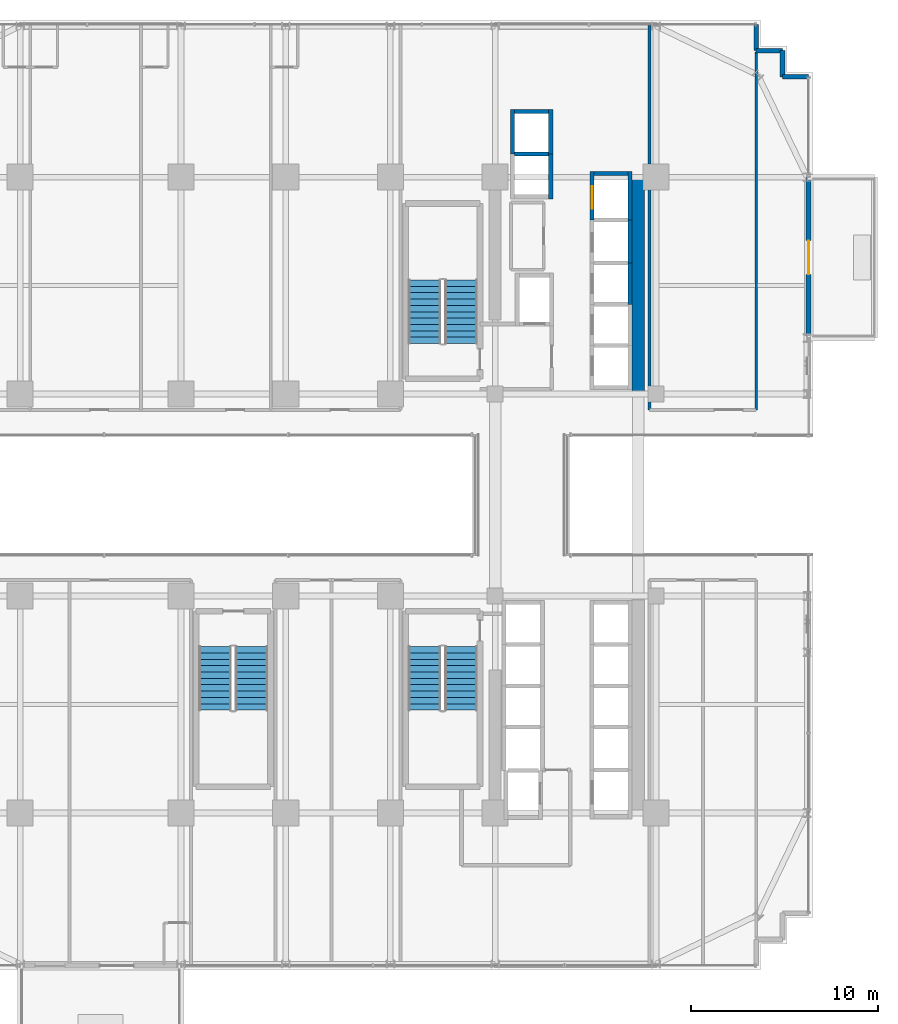
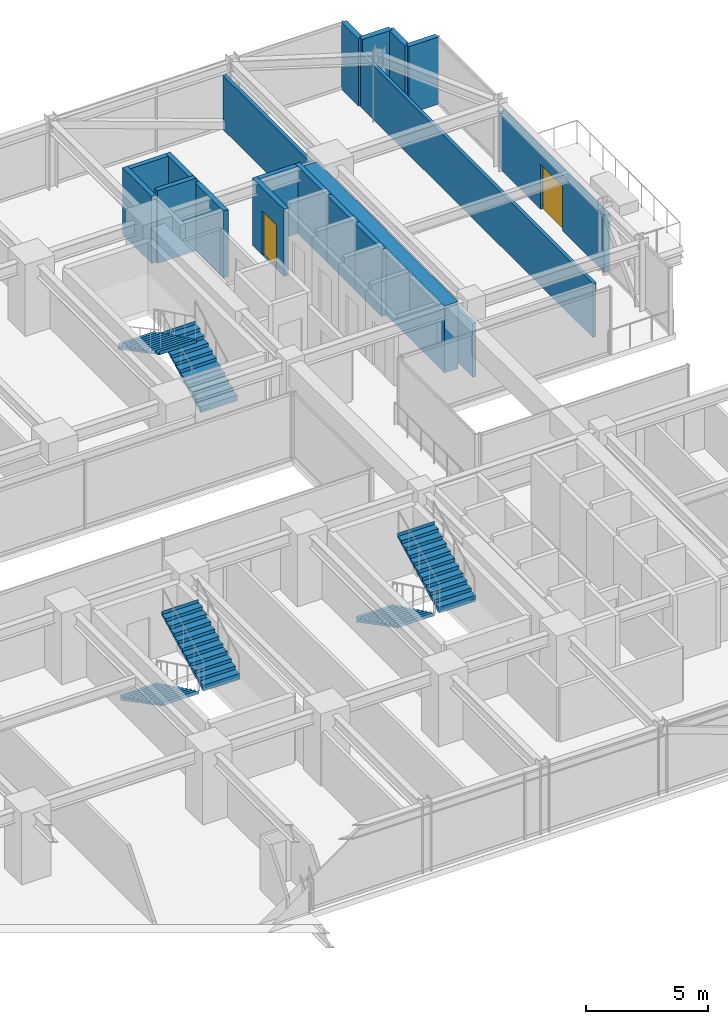
# One storey, part 38 of 43: 18 walls, 6 stair flights, 2 doors, 2 openings, 3 elements without a shape of their own.
"""IFC4 building model written with IfcOpenShell, lengths in metres."""

from ifc_helpers import new_model, si_unit, direction, frame, frame_2d, origin, place, context, subcontext, project, spatial, polyline, rectangle, outline, extrude, source, transform, mapped, material, layer, layer_set, type_object, element, fill, aggregate, save


model = new_model("IFC4")

# Units and contexts
model_context = context("Model", 3, precision=1e-05, world=origin(), true_north=direction((0.0, 1.0)))
body_context = subcontext(model_context, "Body", "Model", "MODEL_VIEW")
ifc_project = project(units=[si_unit("LENGTHUNIT", "METRE"), si_unit("AREAUNIT", "SQUARE_METRE"), si_unit("VOLUMEUNIT", "CUBIC_METRE"), si_unit("PLANEANGLEUNIT", "RADIAN"), si_unit("MASSUNIT", "GRAM", prefix="KILO")], contexts=[model_context])

# Site, building, storey
site_placement = place(None, origin())
site = spatial("IfcSite", under=ifc_project, at=site_placement, CompositionType="ELEMENT")
building_placement = place(site_placement, origin())
building = spatial("IfcBuilding", under=site, at=building_placement, Name="Nahalor Promenade Grand Hotel", CompositionType="ELEMENT")
storey_placement = place(building_placement, frame((0.0, 0.0, 57.949951171875)))
storey = spatial("IfcBuildingStorey", under=building, at=storey_placement, Name="L13", CompositionType="ELEMENT", Elevation=57.949951171875)

# Walls
ifc_material_1 = material(Name="Concrete B-60 (C50/60)", Category="concrete")
ifc_layer_1 = layer(ifc_material_1, 0.64990234375)
ifc_layer_set_1 = layer_set([ifc_layer_1], Name="Concrete B-60 (C50/60)")
wall_type_1 = type_object("IfcWallType", Name="Wall-CoreShear-650", PredefinedType="SHEAR", material=ifc_layer_set_1)
shared_shape_1 = source(origin(), body_context, "Body", "SweptSolid", [
    extrude(rectangle(XDim=11.60009765625, YDim=0.64990234375, at=frame_2d((5.800048828125, 0.0))), origin(), (0.0, 0.0, 1.0), 3.3701171875),
])
wall_1_placement = place(storey_placement, frame((16.050048828125, 5.39990234375, 0.0), z_axis=(0.0, 0.0, 1.0), x_axis=(0.0, 1.0, 0.0)))
element("IfcWall", 1, at=wall_1_placement, inside=storey, type_object=wall_type_1, Name="CWALL-L13-NE", PredefinedType="SHEAR", context=body_context, shape_type="MappedRepresentation", body=[
    mapped(shared_shape_1, transform((0.0, 0.0, 0.0), scale=1.0)),
])
ifc_material_2 = material(Name="Concrete B-50 (C40/50)", Category="concrete")
ifc_layer_2 = layer(ifc_material_2, 0.219970703125)
ifc_layer_set_2 = layer_set([ifc_layer_2], Name="Concrete B-50 (C40/50)")
wall_type_2 = type_object("IfcWallType", Name="Wall-LiftShaft-220", PredefinedType="SHEAR", material=ifc_layer_set_2)
shared_shape_2 = source(origin(), body_context, "Body", "SweptSolid", [
    extrude(rectangle(XDim=1.820068359375, YDim=0.219970703125, at=frame_2d((0.91015625, 0.0))), origin(), (0.0, 0.0, 1.0), 3.3701171875),
])
for number, where, z_axis, x_axis, name in (
    (2, (9.43994140625, 20.5, 0.0), (0.0, 0.0, 1.0), (1.0, 0.0, 0.0), "L13 Lift OB2 Hoistway Wall N"),
    (3, (13.68994140625, 17.199951171875, 0.0), (0.0, 0.0, 1.0), (1.0, 0.0, 0.0), "L13 Lift SV1 Hoistway Wall N"),
):
    element("IfcWall", number, at=place(storey_placement, frame(where, z_axis=z_axis, x_axis=x_axis)), inside=storey, type_object=wall_type_2, Name=name, PredefinedType="SHEAR", context=body_context, shape_type="MappedRepresentation", body=[
        mapped(shared_shape_2, transform((0.0, 0.0, 0.0), scale=1.0)),
    ])
shared_shape_3 = source(origin(), body_context, "Body", "SweptSolid", [
    extrude(rectangle(XDim=1.820068359375, YDim=0.219970703125, at=frame_2d((0.91015625, 0.0))), origin(), (0.0, 0.0, 1.0), 3.650146484375),
])
wall_2_placement = place(storey_placement, frame((9.43994140625, 18.22509765625, 0.0), z_axis=(0.0, 0.0, 1.0), x_axis=(1.0, 0.0, 0.0)))
element("IfcWall", 4, at=wall_2_placement, inside=storey, type_object=wall_type_2, Name="L13 Lift OB1 Hoistway Wall N", PredefinedType="SHEAR", context=body_context, shape_type="MappedRepresentation", body=[
    mapped(shared_shape_3, transform((0.0, 0.0, 0.0), scale=1.0)),
])
shared_shape_4 = source(origin(), body_context, "Body", "SweptSolid", [
    extrude(rectangle(XDim=2.199951171875, YDim=0.219970703125, at=frame_2d((1.10009765625, 0.0))), origin(), (0.0, 0.0, 1.0), 3.3701171875),
])
wall_3_placement = place(storey_placement, frame((15.6201171875, 10.199951171875, 0.0), z_axis=(0.0, 0.0, 1.0), x_axis=(0.0, 1.0, 0.0)))
element("IfcWall", 5, at=wall_3_placement, inside=storey, type_object=wall_type_2, Name="L13 Lift PL3 Hoistway Wall E", PredefinedType="SHEAR", context=body_context, shape_type="MappedRepresentation", body=[
    mapped(shared_shape_4, transform((0.0, 0.0, 0.0), scale=1.0)),
])
shared_shape_5 = source(origin(), body_context, "Body", "SweptSolid", [
    extrude(rectangle(XDim=2.300048828125, YDim=0.219970703125, at=frame_2d((1.14990234375, 0.0))), origin(), (0.0, 0.0, 1.0), 3.3701171875),
])
wall_4_placement = place(storey_placement, frame((15.6201171875, 12.39990234375, 0.0), z_axis=(0.0, 0.0, 1.0), x_axis=(0.0, 1.0, 0.0)))
element("IfcWall", 6, at=wall_4_placement, inside=storey, type_object=wall_type_2, Name="L13 Lift PL4 Hoistway Wall E", PredefinedType="SHEAR", context=body_context, shape_type="MappedRepresentation", body=[
    mapped(shared_shape_5, transform((0.0, 0.0, 0.0), scale=1.0)),
])
shared_shape_6 = source(origin(), body_context, "Body", "SweptSolid", [
    extrude(rectangle(XDim=2.385009765625, YDim=0.219970703125, at=frame_2d((1.1923828125, 0.0))), origin(), (0.0, 0.0, 1.0), 3.3701171875),
])
for number, where, z_axis, x_axis, name in (
    (7, (11.3701171875, 15.840087890625, 0.0), (0.0, 0.0, 1.0), (0.0, 1.0, 0.0), "L13 Lift OB1 Hoistway Wall E"),
    (8, (9.330078125, 18.22509765625, 0.0), (0.0, 0.0, 1.0), (0.0, 1.0, 0.0), "L13 Lift OB2 Hoistway Wall W"),
    (9, (11.3701171875, 18.22509765625, 0.0), (0.0, 0.0, 1.0), (0.0, 1.0, 0.0), "L13 Lift OB2 Hoistway Wall E"),
):
    element("IfcWall", number, at=place(storey_placement, frame(where, z_axis=z_axis, x_axis=x_axis)), inside=storey, type_object=wall_type_2, Name=name, PredefinedType="SHEAR", context=body_context, shape_type="MappedRepresentation", body=[
        mapped(shared_shape_6, transform((0.0, 0.0, 0.0), scale=1.0)),
    ])

# Wall, opening, door
shared_shape_7 = source(origin(), body_context, "Body", "SweptSolid", [
    extrude(rectangle(XDim=2.610107421875, YDim=0.219970703125, at=frame_2d((1.30517578125, 0.0))), origin(), (0.0, 0.0, 1.0), 3.3701171875),
])
wall_5_placement = place(storey_placement, frame((13.580078125, 14.699951171875, 0.0), z_axis=(0.0, 0.0, 1.0), x_axis=(0.0, 1.0, 0.0)))
wall_5 = element("IfcWall", 10, at=wall_5_placement, inside=storey, type_object=wall_type_2, Name="L13 Lift SV1 Hoistway Wall W", PredefinedType="SHEAR", context=body_context, shape_type="MappedRepresentation", body=[
    mapped(shared_shape_7, transform((0.0, 0.0, 0.0), scale=1.0)),
])
opening_1_placement = place(wall_5_placement, frame((0.60009765625, 0.0, 0.0)))
opening_1 = element("IfcOpeningElement", 11, at=opening_1_placement, cuts=wall_5, Name="Opening LD-03", PredefinedType="OPENING", context=body_context, shape_type="SweptSolid", body=[
    extrude(rectangle(XDim=1.199951171875, YDim=2.199951171875, at=frame_2d((0.60009765625, 1.10009765625))), frame((0.0, 0.119873046875, 0.0), z_axis=(0.0, -1.0, 0.0), x_axis=(1.0, 0.0, 0.0)), (0.0, 0.0, 1.0), 0.239990234375),
])
ifc_material_3 = material(Name="Steel S355JR", Category="steel")
door_type_1 = type_object("IfcDoorType", Name="Door-LiftService-1200", OperationType="DOUBLE_DOOR_SLIDING", PredefinedType="DOOR", material=ifc_material_3)
shared_shape_8 = source(origin(), body_context, "Body", "SweptSolid", [
    extrude(rectangle(XDim=1.199951171875, YDim=2.199951171875, at=frame_2d((0.60009765625, 1.10009765625))), frame((0.0, 0.02490234375, 0.0), z_axis=(0.0, -1.0, 0.0), x_axis=(1.0, 0.0, 0.0)), (0.0, 0.0, 1.0), 0.050048828125),
])
door_1_placement = place(opening_1_placement, origin())
door_1 = element("IfcDoor", 12, at=door_1_placement, inside=storey, type_object=door_type_1, Name="DR-LIFT-SV1-L13", OperationType="DOUBLE_DOOR_SLIDING", OverallHeight=2.199951171875, OverallWidth=1.199951171875, PredefinedType="DOOR", context=body_context, shape_type="MappedRepresentation", body=[
    mapped(shared_shape_8, transform((0.0, 0.0, 0.0), scale=1.0)),
])
fill(opening_1, door_1)

# Walls
wall_6_placement = place(storey_placement, frame((15.6201171875, 14.699951171875, 0.0), z_axis=(0.0, 0.0, 1.0), x_axis=(0.0, 1.0, 0.0)))
element("IfcWall", 13, at=wall_6_placement, inside=storey, type_object=wall_type_2, Name="L13 Lift SV1 Hoistway Wall E", PredefinedType="SHEAR", context=body_context, shape_type="MappedRepresentation", body=[
    mapped(shared_shape_7, transform((0.0, 0.0, 0.0), scale=1.0)),
])
ifc_material_4 = material(Name="Concrete B-40 (C32/40)", Category="concrete")
ifc_layer_3 = layer(ifc_material_4, 0.25)
ifc_layer_set_3 = layer_set([ifc_layer_3], Name="Concrete B-40 (C32/40)")
wall_type_3 = type_object("IfcWallType", Name="Wall-BronzePier-250", PredefinedType="STANDARD", material=ifc_layer_set_3)
shared_shape_9 = source(origin(), body_context, "Body", "SweptSolid", [
    extrude(rectangle(XDim=1.39990234375, YDim=0.25, at=frame_2d((0.699951171875, 0.0))), origin(), (0.0, 0.0, 1.0), 3.3701171875),
])
for number, where, z_axis, x_axis, name in (
    (14, (23.760009765625, 22.360107421875, 0.0), (0.0, 0.0, 1.0), (1.0, 0.0, 0.0), "W-L13-SR-05"),
    (15, (23.760009765625, 22.360107421875, 0.0), (0.0, 0.0, 1.0), (0.0, 1.0, 0.0), "W-L13-SR-06"),
    (16, (22.360107421875, 23.760009765625, 0.0), (0.0, 0.0, 1.0), (1.0, 0.0, 0.0), "W-L13-SR-07"),
    (17, (22.360107421875, 23.760009765625, 0.0), (0.0, 0.0, 1.0), (0.0, 1.0, 0.0), "W-L13-SR-08"),
):
    element("IfcWall", number, at=place(storey_placement, frame(where, z_axis=z_axis, x_axis=x_axis)), inside=storey, type_object=wall_type_3, Name=name, PredefinedType="STANDARD", context=body_context, shape_type="MappedRepresentation", body=[
        mapped(shared_shape_9, transform((0.0, 0.0, 0.0), scale=1.0)),
    ])

# Wall, opening, door
ifc_layer_4 = layer(ifc_material_4, 0.260009765625)
ifc_layer_set_4 = layer_set([ifc_layer_4], Name="Concrete B-40 (C32/40)")
wall_type_4 = type_object("IfcWallType", Name="Wall-BalconyWall-260", PredefinedType="STANDARD", material=ifc_layer_set_4)
shared_shape_10 = source(origin(), body_context, "Body", "SweptSolid", [
    extrude(rectangle(XDim=8.60009765625, YDim=0.260009765625, at=frame_2d((4.300048828125, 0.0))), origin(), (0.0, 0.0, 1.0), 2.85009765625),
])
wall_7_placement = place(storey_placement, frame((25.159912109375, 8.39990234375, 0.0), z_axis=(0.0, 0.0, 1.0), x_axis=(0.0, 1.0, 0.0)))
wall_7 = element("IfcWall", 18, at=wall_7_placement, inside=storey, type_object=wall_type_4, Name="W-L13-BALC-E-3", PredefinedType="STANDARD", context=body_context, shape_type="MappedRepresentation", body=[
    mapped(shared_shape_10, transform((0.0, 0.0, 0.0), scale=1.0)),
])
opening_2_placement = place(wall_7_placement, frame((3.39990234375, 0.0, 0.0)))
opening_2 = element("IfcOpeningElement", 19, at=opening_2_placement, cuts=wall_7, Name="Opening D-BC1", PredefinedType="OPENING", context=body_context, shape_type="SweptSolid", body=[
    extrude(rectangle(XDim=1.800048828125, YDim=2.25, at=frame_2d((0.89990234375, 1.125))), frame((0.0, 0.139892578125, 0.0), z_axis=(0.0, -1.0, 0.0), x_axis=(1.0, 0.0, 0.0)), (0.0, 0.0, 1.0), 0.280029296875),
])
ifc_material_5 = material(Name="Anodised Bronze Aluminium EN AW-6063 T6", Category="aluminium")
door_type_2 = type_object("IfcDoorType", Name="Door-BalconySlide-1800", OperationType="DOUBLE_DOOR_SLIDING", PredefinedType="DOOR", material=ifc_material_5)
shared_shape_11 = source(origin(), body_context, "Body", "SweptSolid", [
    extrude(rectangle(XDim=1.800048828125, YDim=2.25, at=frame_2d((0.89990234375, 1.125))), frame((0.0, 0.02490234375, 0.0), z_axis=(0.0, -1.0, 0.0), x_axis=(1.0, 0.0, 0.0)), (0.0, 0.0, 1.0), 0.050048828125),
])
door_2_placement = place(opening_2_placement, frame((1.800048828125, 0.0, 0.0), z_axis=(0.0, 0.0, 1.0), x_axis=(-1.0, 0.0, 0.0)))
door_2 = element("IfcDoor", 20, at=door_2_placement, inside=storey, type_object=door_type_2, Name="DR-L13-BALC-E-3", OperationType="DOUBLE_DOOR_SLIDING", OverallHeight=2.25, OverallWidth=1.800048828125, PredefinedType="DOOR", context=body_context, shape_type="MappedRepresentation", body=[
    mapped(shared_shape_11, transform((0.0, 0.0, 0.0), scale=1.0)),
])
fill(opening_2, door_2)

# Walls
ifc_material_6 = material(Name="Acoustic Mineral Gypsum", Category="gypsum")
ifc_layer_5 = layer(ifc_material_6, 0.159912109375)
ifc_layer_set_5 = layer_set([ifc_layer_5], Name="Acoustic Mineral Gypsum")
wall_type_5 = type_object("IfcWallType", Name="Wall-PartCorridor-160", PredefinedType="PARTITIONING", material=ifc_layer_set_5)
shared_shape_12 = source(origin(), body_context, "Body", "SweptSolid", [
    extrude(rectangle(XDim=20.550048828125, YDim=0.159912109375, at=frame_2d((10.27490234375, 0.0))), origin(), (0.0, 0.0, 1.0), 2.7099609375),
])
wall_8_placement = place(storey_placement, frame((16.64990234375, 4.550048828125, 0.0), z_axis=(0.0, 0.0, 1.0), x_axis=(0.0, 1.0, 0.0)))
element("IfcWall", 21, at=wall_8_placement, inside=storey, type_object=wall_type_5, Name="W-L13-ENE-W", PredefinedType="PARTITIONING", context=body_context, shape_type="MappedRepresentation", body=[
    mapped(shared_shape_12, transform((0.0, 0.0, 0.0), scale=1.0)),
])
shared_shape_13 = source(origin(), body_context, "Body", "SweptSolid", [
    extrude(rectangle(XDim=19.1298828125, YDim=0.159912109375, at=frame_2d((9.56494140625, 0.0))), origin(), (0.0, 0.0, 1.0), 2.7099609375),
])
wall_9_placement = place(storey_placement, frame((22.360107421875, 4.550048828125, 0.0), z_axis=(0.0, 0.0, 1.0), x_axis=(0.0, 1.0, 0.0)))
element("IfcWall", 22, at=wall_9_placement, inside=storey, type_object=wall_type_5, Name="W-L13-ENE-E", PredefinedType="PARTITIONING", context=body_context, shape_type="MappedRepresentation", body=[
    mapped(shared_shape_13, transform((0.0, 0.0, 0.0), scale=1.0)),
])

# Stair, stair flights
stair_type_1 = type_object("IfcStairType", Name="Stair-ST1", PredefinedType="HALF_TURN_STAIR", material=ifc_material_2)
stair_1_placement = place(storey_placement, origin())
stair_1 = element("IfcStair", 23, at=stair_1_placement, inside=storey, type_object=stair_type_1, Name="L13 ST1", PredefinedType="HALF_TURN_STAIR")
ifc_layer_6 = layer(ifc_material_2, 0.179931640625)
ifc_layer_set_6 = layer_set([ifc_layer_6], Name="Concrete B-50 (C40/50)")
stair_flight_type_1 = type_object("IfcStairFlightType", Name="Flight-ST1", PredefinedType="STRAIGHT", material=ifc_layer_set_6)
shared_shape_14 = source(origin(), body_context, "Body", "SweptSolid", [
    extrude(outline(polyline([(-0.00390625, -0.1201171875), (-0.00390625, 0.0), (0.0, 0.0), (0.0, 0.166015625), (0.340087890625, 0.166015625), (0.340087890625, 0.331787109375), (0.679931640625, 0.331787109375), (0.679931640625, 0.497802734375), (1.02001953125, 0.497802734375), (1.02001953125, 0.66357421875), (1.360107421875, 0.66357421875), (1.360107421875, 0.82958984375), (1.699951171875, 0.82958984375), (1.699951171875, 0.995361328125), (2.0400390625, 0.995361328125), (2.0400390625, 1.161376953125), (2.3798828125, 1.161376953125), (2.3798828125, 1.327392578125), (2.719970703125, 1.327392578125), (2.719970703125, 1.4931640625), (3.06005859375, 1.4931640625), (3.06005859375, 1.6591796875), (3.39990234375, 1.6591796875), (3.39990234375, 1.824951171875), (3.404052734375, 1.824951171875), (3.404052734375, 1.64501953125), (0.02001953125, -0.1201171875), (-0.00390625, -0.1201171875)])), frame((0.0, 0.875, 0.0), z_axis=(0.0, -1.0, 0.0), x_axis=(1.0, 0.0, 0.0)), (0.0, 0.0, 1.0), 1.75),
])
stair_flight_1_placement = place(storey_placement, frame((6.574951171875, 8.10009765625, 0.0), z_axis=(0.0, 0.0, 1.0), x_axis=(0.0, 1.0, 0.0)))
stair_flight_1 = element("IfcStairFlight", 24, at=stair_flight_1_placement, type_object=stair_flight_type_1, Name="ST1 flight 1", NumberOfRisers=11, NumberOfTreads=10, PredefinedType="STRAIGHT", RiserHeight=0.165909091, TreadLength=0.34, context=body_context, shape_type="MappedRepresentation", body=[
    mapped(shared_shape_14, transform((0.0, 0.0, 0.0), scale=1.0)),
])
stair_flight_2_placement = place(storey_placement, frame((4.625, 11.5, 1.824951171875), z_axis=(0.0, 0.0, 1.0), x_axis=(0.0, -1.0, 0.0)))
stair_flight_2 = element("IfcStairFlight", 25, at=stair_flight_2_placement, type_object=stair_flight_type_1, Name="ST1 flight 2", NumberOfRisers=11, NumberOfTreads=10, PredefinedType="STRAIGHT", RiserHeight=0.165909091, TreadLength=0.34, context=body_context, shape_type="MappedRepresentation", body=[
    mapped(shared_shape_14, transform((0.0, 0.0, 0.0), scale=1.0)),
])
aggregate(stair_1, [stair_flight_1, stair_flight_2])

stair_type_2 = type_object("IfcStairType", Name="Stair-ST2", PredefinedType="HALF_TURN_STAIR", material=ifc_material_2)
stair_2_placement = place(storey_placement, origin())
stair_2 = element("IfcStair", 26, at=stair_2_placement, inside=storey, type_object=stair_type_2, Name="L13 ST2", PredefinedType="HALF_TURN_STAIR")
ifc_layer_7 = layer(ifc_material_2, 0.18994140625)
ifc_layer_set_7 = layer_set([ifc_layer_7], Name="Concrete B-50 (C40/50)")
stair_flight_type_2 = type_object("IfcStairFlightType", Name="Flight-ST2", PredefinedType="STRAIGHT", material=ifc_layer_set_7)
shared_shape_15 = source(origin(), body_context, "Body", "SweptSolid", [
    extrude(outline(polyline([(-0.00390625, -0.1201171875), (-0.00390625, 0.0), (0.0, 0.0), (0.0, 0.166015625), (0.340087890625, 0.166015625), (0.340087890625, 0.331787109375), (0.679931640625, 0.331787109375), (0.679931640625, 0.497802734375), (1.02001953125, 0.497802734375), (1.02001953125, 0.66357421875), (1.360107421875, 0.66357421875), (1.360107421875, 0.82958984375), (1.699951171875, 0.82958984375), (1.699951171875, 0.995361328125), (2.0400390625, 0.995361328125), (2.0400390625, 1.161376953125), (2.3798828125, 1.161376953125), (2.3798828125, 1.327392578125), (2.719970703125, 1.327392578125), (2.719970703125, 1.4931640625), (3.06005859375, 1.4931640625), (3.06005859375, 1.6591796875), (3.39990234375, 1.6591796875), (3.39990234375, 1.824951171875), (3.404052734375, 1.824951171875), (3.404052734375, 1.64501953125), (0.02001953125, -0.1201171875), (-0.00390625, -0.1201171875)])), frame((0.0, 0.875, 0.0), z_axis=(0.0, -1.0, 0.0), x_axis=(1.0, 0.0, 0.0)), (0.0, 0.0, 1.0), 1.75),
])
stair_flight_3_placement = place(storey_placement, frame((4.625, -8.10009765625, 0.0), z_axis=(0.0, 0.0, 1.0), x_axis=(0.0, -1.0, 0.0)))
stair_flight_3 = element("IfcStairFlight", 27, at=stair_flight_3_placement, type_object=stair_flight_type_2, Name="ST2 flight 1", NumberOfRisers=11, NumberOfTreads=10, PredefinedType="STRAIGHT", RiserHeight=0.165909091, TreadLength=0.34, context=body_context, shape_type="MappedRepresentation", body=[
    mapped(shared_shape_15, transform((0.0, 0.0, 0.0), scale=1.0)),
])
stair_flight_4_placement = place(storey_placement, frame((6.574951171875, -11.5, 1.824951171875), z_axis=(0.0, 0.0, 1.0), x_axis=(0.0, 1.0, 0.0)))
stair_flight_4 = element("IfcStairFlight", 28, at=stair_flight_4_placement, type_object=stair_flight_type_2, Name="ST2 flight 2", NumberOfRisers=11, NumberOfTreads=10, PredefinedType="STRAIGHT", RiserHeight=0.165909091, TreadLength=0.34, context=body_context, shape_type="MappedRepresentation", body=[
    mapped(shared_shape_15, transform((0.0, 0.0, 0.0), scale=1.0)),
])
aggregate(stair_2, [stair_flight_3, stair_flight_4])

stair_type_3 = type_object("IfcStairType", Name="Stair-ST3", PredefinedType="HALF_TURN_STAIR", material=ifc_material_2)
stair_3_placement = place(storey_placement, origin())
stair_3 = element("IfcStair", 29, at=stair_3_placement, inside=storey, type_object=stair_type_3, Name="L13 ST3", PredefinedType="HALF_TURN_STAIR")
ifc_layer_8 = layer(ifc_material_2, 0.199951171875)
ifc_layer_set_8 = layer_set([ifc_layer_8], Name="Concrete B-50 (C40/50)")
stair_flight_type_3 = type_object("IfcStairFlightType", Name="Flight-ST3", PredefinedType="STRAIGHT", material=ifc_layer_set_8)
shared_shape_16 = source(origin(), body_context, "Body", "SweptSolid", [
    extrude(outline(polyline([(-0.00390625, -0.1201171875), (-0.00390625, 0.0), (0.0, 0.0), (0.0, 0.166015625), (0.340087890625, 0.166015625), (0.340087890625, 0.331787109375), (0.679931640625, 0.331787109375), (0.679931640625, 0.497802734375), (1.02001953125, 0.497802734375), (1.02001953125, 0.66357421875), (1.360107421875, 0.66357421875), (1.360107421875, 0.82958984375), (1.699951171875, 0.82958984375), (1.699951171875, 0.995361328125), (2.0400390625, 0.995361328125), (2.0400390625, 1.161376953125), (2.3798828125, 1.161376953125), (2.3798828125, 1.327392578125), (2.719970703125, 1.327392578125), (2.719970703125, 1.4931640625), (3.06005859375, 1.4931640625), (3.06005859375, 1.6591796875), (3.39990234375, 1.6591796875), (3.39990234375, 1.824951171875), (3.404052734375, 1.824951171875), (3.404052734375, 1.64501953125), (0.02001953125, -0.1201171875), (-0.00390625, -0.1201171875)])), frame((0.0, 0.875, 0.0), z_axis=(0.0, -1.0, 0.0), x_axis=(1.0, 0.0, 0.0)), (0.0, 0.0, 1.0), 1.75),
])
stair_flight_5_placement = place(storey_placement, frame((-6.574951171875, -8.10009765625, 0.0), z_axis=(0.0, 0.0, 1.0), x_axis=(0.0, -1.0, 0.0)))
stair_flight_5 = element("IfcStairFlight", 30, at=stair_flight_5_placement, type_object=stair_flight_type_3, Name="ST3 flight 1", NumberOfRisers=11, NumberOfTreads=10, PredefinedType="STRAIGHT", RiserHeight=0.165909091, TreadLength=0.34, context=body_context, shape_type="MappedRepresentation", body=[
    mapped(shared_shape_16, transform((0.0, 0.0, 0.0), scale=1.0)),
])
stair_flight_6_placement = place(storey_placement, frame((-4.625, -11.5, 1.824951171875), z_axis=(0.0, 0.0, 1.0), x_axis=(0.0, 1.0, 0.0)))
stair_flight_6 = element("IfcStairFlight", 31, at=stair_flight_6_placement, type_object=stair_flight_type_3, Name="ST3 flight 2", NumberOfRisers=11, NumberOfTreads=10, PredefinedType="STRAIGHT", RiserHeight=0.165909091, TreadLength=0.34, context=body_context, shape_type="MappedRepresentation", body=[
    mapped(shared_shape_16, transform((0.0, 0.0, 0.0), scale=1.0)),
])
aggregate(stair_3, [stair_flight_5, stair_flight_6])

save(model, "model.ifc")
